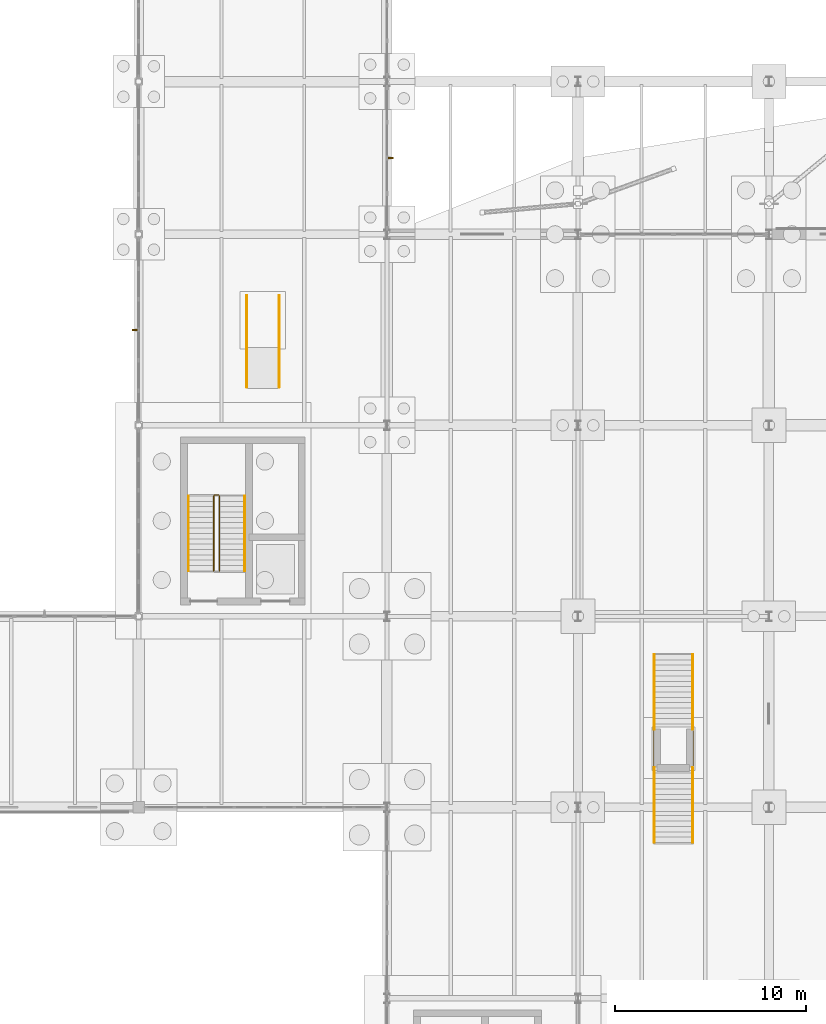
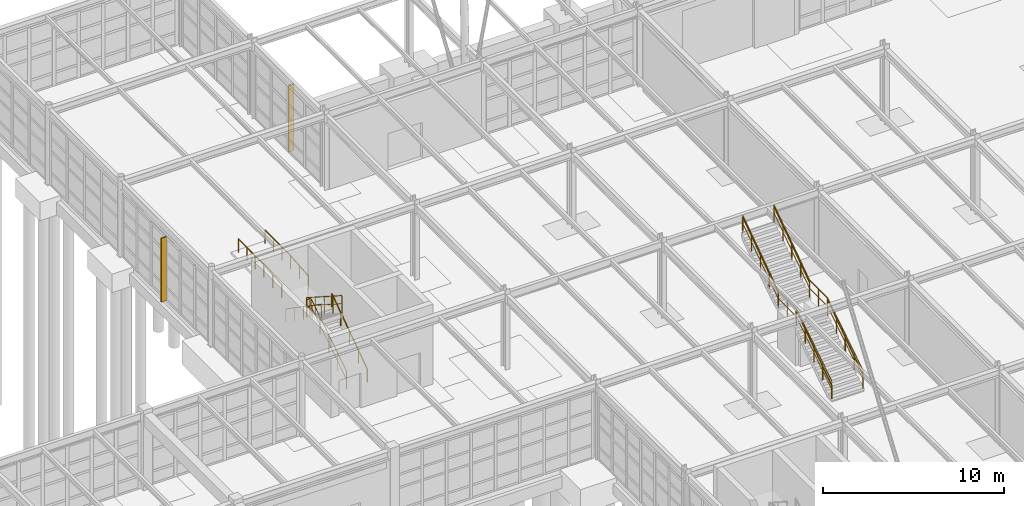
# One storey, part 136 of 145: 13 railings, 2 shading devices.
"""IFC4 building model written with IfcOpenShell, lengths in metres."""

import ifcopenshell
import ifcopenshell.guid

model = None  # the IFC model being written
_history = None  # IfcOwnerHistory: only IFC2X3 demands one
_inside = {}  # id of a spatial element -> (the spatial element, [elements in it])
_under = {}  # id of a project, library or spatial element -> (it, [spatial elements below it])
_declared = {}  # id of a project -> (the project, [libraries it declares])
_typed = {}  # id of a type object -> (the type object, [elements of that type])
_made_of = {}  # id of a material, layer set ... -> (it, [elements and type objects made of it])


def new_model(schema):
    """Start an empty IFC model of exactly this schema.

    Asked for "IFC4X3", IfcOpenShell would pick the latest addendum, in which some entities
    have other attributes; the version numbers below select the first issue.
    IFC2X3 requires an IfcOwnerHistory on every rooted entity: one is made here for all.
    """
    global model, _history
    if schema == "IFC4X3":
        model = ifcopenshell.file(schema_version=(4, 3, 0, 0))
    else:
        model = ifcopenshell.file(schema=schema)
    _inside.clear()
    _under.clear()
    _declared.clear()
    _typed.clear()
    _made_of.clear()
    _history = None
    if model.schema == "IFC2X3":
        org = make("IfcOrganization", Name="unknown")
        user = make(
            "IfcPersonAndOrganization",
            ThePerson=make("IfcPerson", FamilyName="unknown"),
            TheOrganization=org,
        )
        app = make(
            "IfcApplication",
            ApplicationDeveloper=org,
            Version="unknown",
            ApplicationFullName="unknown",
            ApplicationIdentifier="unknown",
        )
        _history = make(
            "IfcOwnerHistory",
            OwningUser=user,
            OwningApplication=app,
            ChangeAction="ADDED",
            CreationDate=0,
        )
    return model


def make(cls, **values):
    """One entity of the class cls with the attributes given. An attribute that is None is left unset."""
    return model.create_entity(
        cls, **{name: value for name, value in values.items() if value is not None}
    )


def rooted(cls, **values):
    """An entity with a GlobalId (a new one), such as an element, a storey or a relation."""
    return make(cls, GlobalId=ifcopenshell.guid.new(), OwnerHistory=_history, **values)


def si_unit(unit_type, name, prefix=None):
    """IfcSIUnit, for example si_unit("LENGTHUNIT", "METRE", prefix="MILLI")."""
    return make("IfcSIUnit", UnitType=unit_type, Prefix=prefix, Name=name)


def assignment(units):
    """IfcUnitAssignment: the units of a project."""
    return None if units is None else make("IfcUnitAssignment", Units=units)


def point(xyz):
    """IfcCartesianPoint."""
    return None if xyz is None else make("IfcCartesianPoint", Coordinates=xyz)


def direction(xyz):
    """IfcDirection."""
    return None if xyz is None else make("IfcDirection", DirectionRatios=xyz)


def frame(location, z_axis=None, x_axis=None):
    """IfcAxis2Placement3D, a coordinate frame: its origin and axes. An axis left out is left unset."""
    return make(
        "IfcAxis2Placement3D",
        Location=point(location),
        Axis=direction(z_axis),
        RefDirection=direction(x_axis),
    )


def frame_2d(location, x_axis=None):
    """IfcAxis2Placement2D, a coordinate frame in the plane: its origin and x axis."""
    return make(
        "IfcAxis2Placement2D", Location=point(location), RefDirection=direction(x_axis)
    )


def origin():
    """The frame at (0, 0, 0) with its axes left unset."""
    return frame((0.0, 0.0, 0.0))


def origin_2d():
    """The frame at (0, 0) in the plane with its x axis left unset."""
    return frame_2d((0.0, 0.0))


def place(relative_to, where):
    """IfcLocalPlacement: puts the frame where relative to a parent placement (None: the world)."""
    return make(
        "IfcLocalPlacement", PlacementRelTo=relative_to, RelativePlacement=where
    )


def context(
    kind, dimensions, precision=None, world=None, true_north=None, identifier=None
):
    """IfcGeometricRepresentationContext, for example the 3D "Model" context."""
    return make(
        "IfcGeometricRepresentationContext",
        ContextIdentifier=identifier,
        ContextType=kind,
        CoordinateSpaceDimension=dimensions,
        Precision=precision,
        WorldCoordinateSystem=world,
        TrueNorth=true_north,
    )


def subcontext(parent, identifier, kind, view, scale=None):
    """IfcGeometricRepresentationSubContext, for example "Body" below "Model"."""
    return make(
        "IfcGeometricRepresentationSubContext",
        ContextIdentifier=identifier,
        ContextType=kind,
        ParentContext=parent,
        TargetScale=scale,
        TargetView=view,
    )


def project(units=None, contexts=None):
    """IfcProject with its units and contexts."""
    return rooted(
        "IfcProject",
        Name="project",
        RepresentationContexts=contexts,
        UnitsInContext=assignment(units),
    )


def spatial(cls, under=None, at=None, **own):
    """A site, building, storey or space (cls), placed at a placement, below another one or the project."""
    s = rooted(cls, ObjectPlacement=at, **own)
    if under is not None:
        _under.setdefault(under.id(), (under, []))[1].append(s)
    return s


def profile(cls, at=None, kind="AREA", **sizes):
    """A parametric profile (cls). Its sizes go by their IFC names, for example OverallWidth=200.0."""
    return make(cls, ProfileType=kind, Position=at, **sizes)


def rectangle(**sizes):
    """IfcRectangleProfileDef."""
    return profile("IfcRectangleProfileDef", **sizes)


def circle(**sizes):
    """IfcCircleProfileDef."""
    return profile("IfcCircleProfileDef", **sizes)


def extrude(swept, where, along, depth):
    """IfcExtrudedAreaSolid: the profile swept, set in the frame where, extruded along a direction by depth."""
    return make(
        "IfcExtrudedAreaSolid",
        SweptArea=swept,
        Position=where,
        ExtrudedDirection=direction(along),
        Depth=depth,
    )


def shape(context_of_items, identifier, shape_type, items):
    """IfcShapeRepresentation: the items that make up one representation, for example the "Body"."""
    return make(
        "IfcShapeRepresentation",
        ContextOfItems=context_of_items,
        RepresentationIdentifier=identifier,
        RepresentationType=shape_type,
        Items=items,
    )


def material(Name=None, Category=None):
    """IfcMaterial."""
    return make("IfcMaterial", Name=Name, Category=Category)


def made_of(thing, what):
    """Note that an element or type object is made of a material, layer set ...; save() writes the relation."""
    if what is not None:
        _made_of.setdefault(what.id(), (what, []))[1].append(thing)
    return thing


def type_object(cls, material=None, **own):
    """A type object (cls), such as IfcWallType, which elements share."""
    return made_of(rooted(cls, **own), material)


def element(
    cls,
    number,
    at=None,
    inside=None,
    cuts=None,
    type_object=None,
    material=None,
    context=None,
    identifier="Body",
    shape_type=None,
    held_by="IfcProductDefinitionShape",
    body=None,
    shapes=None,
    **own,
):
    """One element of the class cls, such as IfcWall. Its Tag is "e" and its number.

    at: its placement. inside: the storey or other place that contains it. cuts: it is an
    opening in that element (IfcRelVoidsElement). A single representation is given by context,
    identifier, shape_type and body (its items); several are given by shapes. held_by: the class
    of the entity that holds the representations. save() writes the other relations.
    """
    e = rooted(cls, Tag="e%d" % number, ObjectPlacement=at, **own)
    if body is not None:
        shapes = [shape(context, identifier, shape_type, body)]
    if shapes is not None:
        e.Representation = make(held_by, Representations=shapes)
    if inside is not None:
        _inside.setdefault(inside.id(), (inside, []))[1].append(e)
    if cuts is not None:
        rooted(
            "IfcRelVoidsElement", RelatingBuildingElement=cuts, RelatedOpeningElement=e
        )
    if type_object is not None:
        _typed.setdefault(type_object.id(), (type_object, []))[1].append(e)
    return made_of(e, material)


def aggregate(whole, parts):
    """IfcRelAggregates: a whole, such as a stair, and the parts it consists of."""
    return rooted("IfcRelAggregates", RelatingObject=whole, RelatedObjects=parts)


def save(model, path):
    """Write the relations noted so far, then the file.

    IfcRelAggregates (storeys below a building ...), IfcRelContainedInSpatialStructure (elements
    in a storey), IfcRelDefinesByType, IfcRelAssociatesMaterial and IfcRelDeclares: one each for
    every whole, place, type object, material and project.
    """
    for whole, parts in _under.values():
        aggregate(whole, parts)
    for where, things in _inside.values():
        rooted(
            "IfcRelContainedInSpatialStructure",
            RelatedElements=things,
            RelatingStructure=where,
        )
    for kind, things in _typed.values():
        rooted("IfcRelDefinesByType", RelatedObjects=things, RelatingType=kind)
    for what, things in _made_of.values():
        rooted("IfcRelAssociatesMaterial", RelatedObjects=things, RelatingMaterial=what)
    for by, libraries in _declared.values():
        rooted("IfcRelDeclares", RelatingContext=by, RelatedDefinitions=libraries)
    model.write(path)


model = new_model("IFC4")

# Units and contexts
model_context = context("Model", 3, precision=1e-05, world=origin(), true_north=direction((0.0, 1.0)))
body_context = subcontext(model_context, "Body", "Model", "MODEL_VIEW")
ifc_project = project(units=[si_unit("LENGTHUNIT", "METRE"), si_unit("AREAUNIT", "SQUARE_METRE"), si_unit("VOLUMEUNIT", "CUBIC_METRE"), si_unit("PLANEANGLEUNIT", "RADIAN"), si_unit("MASSUNIT", "GRAM", prefix="KILO"), si_unit("THERMODYNAMICTEMPERATUREUNIT", "KELVIN"), si_unit("POWERUNIT", "WATT")], contexts=[model_context])

# Site, building, storey
site_placement = place(None, origin())
site = spatial("IfcSite", under=ifc_project, at=site_placement, CompositionType="ELEMENT")
building_placement = place(site_placement, origin())
building = spatial("IfcBuilding", under=site, at=building_placement, Name="Korenveer Ferry Terminal", CompositionType="ELEMENT")
storey_placement = place(building_placement, origin())
storey = spatial("IfcBuildingStorey", under=building, at=storey_placement, Name="L00", CompositionType="ELEMENT", Elevation=0.0)

# Shading devices
ifc_material_1 = material(Name="Anodised bronze aluminium solar fin", Category="aluminium")
shading_device_type = type_object("IfcShadingDeviceType", Name="ENV-SHD-FIN", PredefinedType="JALOUSIE", material=ifc_material_1)
shading_device_1_placement = place(storey_placement, frame((39.840087890625, 95.0, -0.02001953125), z_axis=(0.0, 0.0, 1.0), x_axis=(1.0, 0.0, 0.0)))
element("IfcShadingDevice", 1, at=shading_device_1_placement, inside=storey, type_object=shading_device_type, Name="Gothic solar fin 9", PredefinedType="JALOUSIE", context=body_context, shape_type="SweptSolid", body=[
    extrude(rectangle(XDim=0.360107421875, YDim=0.080078125, at=origin_2d()), origin(), (0.0, 0.0, 1.0), 4.31005859375),
])
shading_device_2_placement = place(storey_placement, frame((53.159912109375, 104.0, -0.02001953125), z_axis=(0.0, 0.0, 1.0), x_axis=(1.0, 0.0, 0.0)))
element("IfcShadingDevice", 2, at=shading_device_2_placement, inside=storey, type_object=shading_device_type, Name="Gothic solar fin 11", PredefinedType="JALOUSIE", context=body_context, shape_type="SweptSolid", body=[
    extrude(rectangle(XDim=0.360107421875, YDim=0.080078125, at=origin_2d()), origin(), (0.0, 0.0, 1.0), 4.510009765625),
])

# Railings
ifc_material_2 = material(Name="Brushed stainless steel handrail", Category="steel")
railing_type_1 = type_object("IfcRailingType", Name="INT-RL-HND90", PredefinedType="HANDRAIL", material=ifc_material_2)
railing_1_placement = place(storey_placement, frame((45.550048828125, 82.3798828125, 0.179931640625)))
element("IfcRailing", 3, at=railing_1_placement, inside=storey, type_object=railing_type_1, Name="L00 ST07 stair handrail 1", PredefinedType="HANDRAIL", context=body_context, shape_type="SweptSolid", body=[
    extrude(circle(Radius=0.02392578125, at=origin_2d()), frame((0.0, 0.0, 0.8759765625), z_axis=(0.0, 0.823567234665, 0.567218661528), x_axis=(-1.0, 0.0, 0.0)), (0.0, 0.0, 1.0), 4.760009765625),
    extrude(circle(Radius=0.02099609375, at=origin_2d()), origin(), (0.0, 0.0, 1.0), 0.851806640625),
    extrude(circle(Radius=0.02099609375, at=origin_2d()), frame((0.0, 0.97998046875, 0.675048828125)), (0.0, 0.0, 1.0), 0.851806640625),
    extrude(circle(Radius=0.02099609375, at=origin_2d()), frame((0.0, 1.9599609375, 1.35009765625)), (0.0, 0.0, 1.0), 0.851806640625),
    extrude(circle(Radius=0.02099609375, at=origin_2d()), frame((0.0, 2.940185546875, 2.02490234375)), (0.0, 0.0, 1.0), 0.851806640625),
    extrude(circle(Radius=0.02099609375, at=origin_2d()), frame((0.0, 3.920166015625, 2.699951171875)), (0.0, 0.0, 1.0), 0.851806640625),
])
railing_2_placement = place(storey_placement, frame((42.610107421875, 86.300048828125, 2.8798828125)))
element("IfcRailing", 4, at=railing_2_placement, inside=storey, type_object=railing_type_1, Name="L00 ST07 stair handrail 2", PredefinedType="HANDRAIL", context=body_context, shape_type="SweptSolid", body=[
    extrude(circle(Radius=0.02392578125, at=origin_2d()), frame((0.0, 0.0, 0.8759765625), z_axis=(0.0, -0.82354327477, 0.567253448276), x_axis=(1.0, 0.0, 0.0)), (0.0, 0.0, 1.0), 4.760009765625),
    extrude(circle(Radius=0.02099609375, at=origin_2d()), origin(), (0.0, 0.0, 1.0), 0.851806640625),
    extrude(circle(Radius=0.02099609375, at=origin_2d()), frame((0.0, -0.97998046875, 0.675048828125)), (0.0, 0.0, 1.0), 0.851806640625),
    extrude(circle(Radius=0.02099609375, at=origin_2d()), frame((0.0, -1.9599609375, 1.35009765625)), (0.0, 0.0, 1.0), 0.851806640625),
    extrude(circle(Radius=0.02099609375, at=origin_2d()), frame((0.0, -2.940185546875, 2.025146484375)), (0.0, 0.0, 1.0), 0.851806640625),
    extrude(circle(Radius=0.02099609375, at=origin_2d()), frame((0.0, -3.920166015625, 2.7001953125)), (0.0, 0.0, 1.0), 0.851806640625),
])
railing_3_placement = place(storey_placement, frame((67.0, 68.159912109375, 0.179931640625)))
element("IfcRailing", 5, at=railing_3_placement, inside=storey, type_object=railing_type_1, Name="Feature stair lower handrail ST13 W", PredefinedType="HANDRAIL", context=body_context, shape_type="SweptSolid", body=[
    extrude(circle(Radius=0.02392578125, at=origin_2d()), frame((0.0, 0.0, 0.8759765625), z_axis=(0.0, 0.823567234665, 0.567218661528), x_axis=(-1.0, 0.0, 0.0)), (0.0, 0.0, 1.0), 4.760009765625),
    extrude(circle(Radius=0.02099609375, at=origin_2d()), origin(), (0.0, 0.0, 1.0), 0.851806640625),
    extrude(circle(Radius=0.02099609375, at=origin_2d()), frame((0.0, 0.97998046875, 0.675048828125)), (0.0, 0.0, 1.0), 0.851806640625),
    extrude(circle(Radius=0.02099609375, at=origin_2d()), frame((0.0, 1.9599609375, 1.35009765625)), (0.0, 0.0, 1.0), 0.851806640625),
    extrude(circle(Radius=0.02099609375, at=origin_2d()), frame((0.0, 2.940185546875, 2.02490234375)), (0.0, 0.0, 1.0), 0.851806640625),
    extrude(circle(Radius=0.02099609375, at=origin_2d()), frame((0.0, 3.920166015625, 2.699951171875)), (0.0, 0.0, 1.0), 0.851806640625),
])
railing_4_placement = place(storey_placement, frame((67.0, 74.080078125, 2.8798828125)))
element("IfcRailing", 6, at=railing_4_placement, inside=storey, type_object=railing_type_1, Name="Feature stair upper handrail ST13 W", PredefinedType="HANDRAIL", context=body_context, shape_type="SweptSolid", body=[
    extrude(circle(Radius=0.02392578125, at=origin_2d()), frame((0.0, 0.0, 0.8759765625), z_axis=(0.0, 0.823526770215, 0.56727740898), x_axis=(-1.0, 0.0, 0.0)), (0.0, 0.0, 1.0), 4.760009765625),
    extrude(circle(Radius=0.02099609375, at=origin_2d()), origin(), (0.0, 0.0, 1.0), 0.851806640625),
    extrude(circle(Radius=0.02099609375, at=origin_2d()), frame((0.0, 0.97998046875, 0.675048828125)), (0.0, 0.0, 1.0), 0.851806640625),
    extrude(circle(Radius=0.02099609375, at=origin_2d()), frame((0.0, 1.9599609375, 1.35009765625)), (0.0, 0.0, 1.0), 0.851806640625),
    extrude(circle(Radius=0.02099609375, at=origin_2d()), frame((0.0, 2.93994140625, 2.025146484375)), (0.0, 0.0, 1.0), 0.851806640625),
    extrude(circle(Radius=0.02099609375, at=origin_2d()), frame((0.0, 3.919921875, 2.7001953125)), (0.0, 0.0, 1.0), 0.851806640625),
])
railing_5_placement = place(storey_placement, frame((69.0, 68.159912109375, 0.179931640625)))
element("IfcRailing", 7, at=railing_5_placement, inside=storey, type_object=railing_type_1, Name="Feature stair lower handrail ST13 E", PredefinedType="HANDRAIL", context=body_context, shape_type="SweptSolid", body=[
    extrude(circle(Radius=0.02392578125, at=origin_2d()), frame((0.0, 0.0, 0.8759765625), z_axis=(0.0, 0.823567234665, 0.567218661528), x_axis=(-1.0, 0.0, 0.0)), (0.0, 0.0, 1.0), 4.760009765625),
    extrude(circle(Radius=0.02099609375, at=origin_2d()), origin(), (0.0, 0.0, 1.0), 0.851806640625),
    extrude(circle(Radius=0.02099609375, at=origin_2d()), frame((0.0, 0.97998046875, 0.675048828125)), (0.0, 0.0, 1.0), 0.851806640625),
    extrude(circle(Radius=0.02099609375, at=origin_2d()), frame((0.0, 1.9599609375, 1.35009765625)), (0.0, 0.0, 1.0), 0.851806640625),
    extrude(circle(Radius=0.02099609375, at=origin_2d()), frame((0.0, 2.940185546875, 2.02490234375)), (0.0, 0.0, 1.0), 0.851806640625),
    extrude(circle(Radius=0.02099609375, at=origin_2d()), frame((0.0, 3.920166015625, 2.699951171875)), (0.0, 0.0, 1.0), 0.851806640625),
])
railing_6_placement = place(storey_placement, frame((69.0, 74.080078125, 2.8798828125)))
element("IfcRailing", 8, at=railing_6_placement, inside=storey, type_object=railing_type_1, Name="Feature stair upper handrail ST13 E", PredefinedType="HANDRAIL", context=body_context, shape_type="SweptSolid", body=[
    extrude(circle(Radius=0.02392578125, at=origin_2d()), frame((0.0, 0.0, 0.8759765625), z_axis=(0.0, 0.823526770215, 0.56727740898), x_axis=(-1.0, 0.0, 0.0)), (0.0, 0.0, 1.0), 4.760009765625),
    extrude(circle(Radius=0.02099609375, at=origin_2d()), origin(), (0.0, 0.0, 1.0), 0.851806640625),
    extrude(circle(Radius=0.02099609375, at=origin_2d()), frame((0.0, 0.97998046875, 0.675048828125)), (0.0, 0.0, 1.0), 0.851806640625),
    extrude(circle(Radius=0.02099609375, at=origin_2d()), frame((0.0, 1.9599609375, 1.35009765625)), (0.0, 0.0, 1.0), 0.851806640625),
    extrude(circle(Radius=0.02099609375, at=origin_2d()), frame((0.0, 2.93994140625, 2.025146484375)), (0.0, 0.0, 1.0), 0.851806640625),
    extrude(circle(Radius=0.02099609375, at=origin_2d()), frame((0.0, 3.919921875, 2.7001953125)), (0.0, 0.0, 1.0), 0.851806640625),
])
ifc_material_3 = material(Name="Brushed stainless steel ramp handrail", Category="steel")
railing_type_2 = type_object("IfcRailingType", Name="INT-RL-RMPHND", PredefinedType="HANDRAIL", material=ifc_material_3)
for number, where, name in (
    (9, (45.64990234375, 92.0, 0.0), "West Mooring Threshold Ramp handrail W"),
    (10, (47.35009765625, 92.0, 0.0), "West Mooring Threshold Ramp handrail E"),
):
    element("IfcRailing", number, at=place(storey_placement, frame(where)), inside=storey, type_object=railing_type_2, Name=name, PredefinedType="HANDRAIL", context=body_context, shape_type="SweptSolid", body=[
        extrude(circle(Radius=0.02392578125, at=origin_2d()), frame((0.0, 0.0, 0.8759765625), z_axis=(0.0, 0.996818759741, 0.079701695267), x_axis=(-1.0, 0.0, 0.0)), (0.0, 0.0, 1.0), 2.00634765625),
        extrude(circle(Radius=0.02392578125, at=origin_2d()), frame((0.0, 2.0, 1.03564453125), z_axis=(0.0, 1.0, 0.0), x_axis=(-1.0, 0.0, 0.0)), (0.0, 0.0, 1.0), 2.800048828125),
        extrude(circle(Radius=0.02099609375, at=origin_2d()), origin(), (0.0, 0.0, 1.0), 0.851806640625),
        extrude(circle(Radius=0.02099609375, at=origin_2d()), frame((0.0, 1.0, 0.080078125)), (0.0, 0.0, 1.0), 0.851806640625),
        extrude(circle(Radius=0.02099609375, at=origin_2d()), frame((0.0, 2.0, 0.159912109375)), (0.0, 0.0, 1.0), 0.851806640625),
        extrude(circle(Radius=0.02099609375, at=origin_2d()), frame((0.0, 2.933349609375, 0.159912109375)), (0.0, 0.0, 1.0), 0.851806640625),
        extrude(circle(Radius=0.02099609375, at=origin_2d()), frame((0.0, 3.86669921875, 0.159912109375)), (0.0, 0.0, 1.0), 0.851806640625),
        extrude(circle(Radius=0.02099609375, at=origin_2d()), frame((0.0, 4.800048828125, 0.159912109375)), (0.0, 0.0, 1.0), 0.851806640625),
    ])
ifc_material_4 = material(Name="Painted steel stair guard", Category="steel")
railing_type_3 = type_object("IfcRailingType", Name="INT-RL-STGRD", PredefinedType="GUARDRAIL", material=ifc_material_4)
railing_7_placement = place(storey_placement, frame((44.22998046875, 82.3798828125, 0.179931640625)))
element("IfcRailing", 11, at=railing_7_placement, inside=storey, type_object=railing_type_3, Name="L00 ST07 stair guard 1", PredefinedType="GUARDRAIL", context=body_context, shape_type="SweptSolid", body=[
    extrude(circle(Radius=0.02392578125, at=origin_2d()), frame((0.0, 0.0, 1.17578125), z_axis=(0.0, 0.841186985886, 0.540744352514), x_axis=(-1.0, 0.0, 0.0)), (0.0, 0.0, 1.0), 4.660400390625),
    extrude(circle(Radius=0.01806640625, at=origin_2d()), frame((0.0, 0.0, 0.6240234375), z_axis=(0.0, 0.841186985886, 0.540744352514), x_axis=(-1.0, 0.0, 0.0)), (0.0, 0.0, 1.0), 4.660400390625),
    extrude(circle(Radius=0.02099609375, at=origin_2d()), origin(), (0.0, 0.0, 1.0), 1.15185546875),
    extrude(circle(Radius=0.02099609375, at=origin_2d()), frame((0.0, 0.97998046875, 0.6298828125)), (0.0, 0.0, 1.0), 1.15185546875),
    extrude(circle(Radius=0.02099609375, at=origin_2d()), frame((0.0, 1.9599609375, 1.260009765625)), (0.0, 0.0, 1.0), 1.15185546875),
    extrude(circle(Radius=0.02099609375, at=origin_2d()), frame((0.0, 2.940185546875, 1.89013671875)), (0.0, 0.0, 1.0), 1.15185546875),
    extrude(circle(Radius=0.02099609375, at=origin_2d()), frame((0.0, 3.920166015625, 2.52001953125)), (0.0, 0.0, 1.0), 1.15185546875),
])
railing_8_placement = place(storey_placement, frame((44.179931640625, 86.35009765625, 2.699951171875)))
element("IfcRailing", 12, at=railing_8_placement, inside=storey, type_object=railing_type_3, Name="L00 ST07 stair guard 2", PredefinedType="GUARDRAIL", context=body_context, shape_type="SweptSolid", body=[
    extrude(circle(Radius=0.02392578125, at=origin_2d()), frame((0.0, 0.0, 1.17578125), z_axis=(-1.0, 0.0, 0.0), x_axis=(0.0, -1.0, 0.0)), (0.0, 0.0, 1.0), 0.199951171875),
    extrude(circle(Radius=0.01806640625, at=origin_2d()), frame((0.0, 0.0, 0.6240234375), z_axis=(-1.0, 0.0, 0.0), x_axis=(0.0, -1.0, 0.0)), (0.0, 0.0, 1.0), 0.199951171875),
    extrude(circle(Radius=0.02099609375, at=origin_2d()), origin(), (0.0, 0.0, 1.0), 1.15185546875),
    extrude(circle(Radius=0.02099609375, at=origin_2d()), frame((-0.199951171875, 0.0, 0.0)), (0.0, 0.0, 1.0), 1.15185546875),
])
railing_9_placement = place(storey_placement, frame((43.929931640625, 86.300048828125, 2.8798828125)))
element("IfcRailing", 13, at=railing_9_placement, inside=storey, type_object=railing_type_3, Name="L00 ST07 stair guard 3", PredefinedType="GUARDRAIL", context=body_context, shape_type="SweptSolid", body=[
    extrude(circle(Radius=0.02392578125, at=origin_2d()), frame((0.0, 0.0, 1.17578125), z_axis=(0.0, -0.841186985886, 0.540744352514), x_axis=(1.0, 0.0, 0.0)), (0.0, 0.0, 1.0), 4.660400390625),
    extrude(circle(Radius=0.01806640625, at=origin_2d()), frame((0.0, 0.0, 0.6240234375), z_axis=(0.0, -0.841186985886, 0.540744352514), x_axis=(1.0, 0.0, 0.0)), (0.0, 0.0, 1.0), 4.660400390625),
    extrude(circle(Radius=0.02099609375, at=origin_2d()), origin(), (0.0, 0.0, 1.0), 1.15185546875),
    extrude(circle(Radius=0.02099609375, at=origin_2d()), frame((0.0, -0.97998046875, 0.6298828125)), (0.0, 0.0, 1.0), 1.15185546875),
    extrude(circle(Radius=0.02099609375, at=origin_2d()), frame((0.0, -1.9599609375, 1.260009765625)), (0.0, 0.0, 1.0), 1.15185546875),
    extrude(circle(Radius=0.02099609375, at=origin_2d()), frame((0.0, -2.940185546875, 1.89013671875)), (0.0, 0.0, 1.0), 1.15185546875),
    extrude(circle(Radius=0.02099609375, at=origin_2d()), frame((0.0, -3.920166015625, 2.52001953125)), (0.0, 0.0, 1.0), 1.15185546875),
])
railing_10_placement = place(storey_placement, frame((67.0, 68.159912109375, 0.179931640625)))
element("IfcRailing", 14, at=railing_10_placement, inside=storey, type_object=railing_type_3, Name="Feature stair guard ST13 W", PredefinedType="GUARDRAIL", context=body_context, shape_type="SweptSolid", body=[
    extrude(circle(Radius=0.02392578125, at=origin_2d()), frame((0.0, 0.0, 1.17578125), z_axis=(0.0, 0.841186985886, 0.540744352514), x_axis=(-1.0, 0.0, 0.0)), (0.0, 0.0, 1.0), 4.660400390625),
    extrude(circle(Radius=0.01806640625, at=origin_2d()), frame((0.0, 0.0, 0.6240234375), z_axis=(0.0, 0.841186985886, 0.540744352514), x_axis=(-1.0, 0.0, 0.0)), (0.0, 0.0, 1.0), 4.660400390625),
    extrude(circle(Radius=0.02392578125, at=origin_2d()), frame((0.0, 3.920166015625, 3.69580078125), z_axis=(0.0, 1.0, 0.0), x_axis=(-1.0, 0.0, 0.0)), (0.0, 0.0, 1.0), 2.0),
    extrude(circle(Radius=0.01806640625, at=origin_2d()), frame((0.0, 3.920166015625, 3.14404296875), z_axis=(0.0, 1.0, 0.0), x_axis=(-1.0, 0.0, 0.0)), (0.0, 0.0, 1.0), 2.0),
    extrude(circle(Radius=0.02392578125, at=origin_2d()), frame((0.0, 5.920166015625, 3.69580078125), z_axis=(0.0, 0.823550731654, 0.567242622158), x_axis=(-1.0, 0.0, 0.0)), (0.0, 0.0, 1.0), 4.759765625),
    extrude(circle(Radius=0.01806640625, at=origin_2d()), frame((0.0, 5.920166015625, 3.14404296875), z_axis=(0.0, 0.823550731654, 0.567242622158), x_axis=(-1.0, 0.0, 0.0)), (0.0, 0.0, 1.0), 4.759765625),
    extrude(circle(Radius=0.02099609375, at=origin_2d()), origin(), (0.0, 0.0, 1.0), 1.15185546875),
    extrude(circle(Radius=0.02099609375, at=origin_2d()), frame((0.0, 0.97998046875, 0.6298828125)), (0.0, 0.0, 1.0), 1.15185546875),
    extrude(circle(Radius=0.02099609375, at=origin_2d()), frame((0.0, 1.9599609375, 1.260009765625)), (0.0, 0.0, 1.0), 1.15185546875),
    extrude(circle(Radius=0.02099609375, at=origin_2d()), frame((0.0, 2.940185546875, 1.89013671875)), (0.0, 0.0, 1.0), 1.15185546875),
    extrude(circle(Radius=0.02099609375, at=origin_2d()), frame((0.0, 3.920166015625, 2.52001953125)), (0.0, 0.0, 1.0), 1.15185546875),
    extrude(circle(Radius=0.02099609375, at=origin_2d()), frame((0.0, 4.920166015625, 2.52001953125)), (0.0, 0.0, 1.0), 1.15185546875),
    extrude(circle(Radius=0.02099609375, at=origin_2d()), frame((0.0, 5.920166015625, 2.52001953125)), (0.0, 0.0, 1.0), 1.15185546875),
    extrude(circle(Radius=0.02099609375, at=origin_2d()), frame((0.0, 6.900146484375, 3.195068359375)), (0.0, 0.0, 1.0), 1.15185546875),
    extrude(circle(Radius=0.02099609375, at=origin_2d()), frame((0.0, 7.880126953125, 3.8701171875)), (0.0, 0.0, 1.0), 1.15185546875),
    extrude(circle(Radius=0.02099609375, at=origin_2d()), frame((0.0, 8.860107421875, 4.544921875)), (0.0, 0.0, 1.0), 1.15185546875),
    extrude(circle(Radius=0.02099609375, at=origin_2d()), frame((0.0, 9.840087890625, 5.219970703125)), (0.0, 0.0, 1.0), 1.15185546875),
])
railing_11_placement = place(storey_placement, frame((69.0, 68.159912109375, 0.179931640625)))
element("IfcRailing", 15, at=railing_11_placement, inside=storey, type_object=railing_type_3, Name="Feature stair guard ST13 E", PredefinedType="GUARDRAIL", context=body_context, shape_type="SweptSolid", body=[
    extrude(circle(Radius=0.02392578125, at=origin_2d()), frame((0.0, 0.0, 1.17578125), z_axis=(0.0, 0.841186985886, 0.540744352514), x_axis=(-1.0, 0.0, 0.0)), (0.0, 0.0, 1.0), 4.660400390625),
    extrude(circle(Radius=0.01806640625, at=origin_2d()), frame((0.0, 0.0, 0.6240234375), z_axis=(0.0, 0.841186985886, 0.540744352514), x_axis=(-1.0, 0.0, 0.0)), (0.0, 0.0, 1.0), 4.660400390625),
    extrude(circle(Radius=0.02392578125, at=origin_2d()), frame((0.0, 3.920166015625, 3.69580078125), z_axis=(0.0, 1.0, 0.0), x_axis=(-1.0, 0.0, 0.0)), (0.0, 0.0, 1.0), 2.0),
    extrude(circle(Radius=0.01806640625, at=origin_2d()), frame((0.0, 3.920166015625, 3.14404296875), z_axis=(0.0, 1.0, 0.0), x_axis=(-1.0, 0.0, 0.0)), (0.0, 0.0, 1.0), 2.0),
    extrude(circle(Radius=0.02392578125, at=origin_2d()), frame((0.0, 5.920166015625, 3.69580078125), z_axis=(0.0, 0.823550731654, 0.567242622158), x_axis=(-1.0, 0.0, 0.0)), (0.0, 0.0, 1.0), 4.759765625),
    extrude(circle(Radius=0.01806640625, at=origin_2d()), frame((0.0, 5.920166015625, 3.14404296875), z_axis=(0.0, 0.823550731654, 0.567242622158), x_axis=(-1.0, 0.0, 0.0)), (0.0, 0.0, 1.0), 4.759765625),
    extrude(circle(Radius=0.02099609375, at=origin_2d()), origin(), (0.0, 0.0, 1.0), 1.15185546875),
    extrude(circle(Radius=0.02099609375, at=origin_2d()), frame((0.0, 0.97998046875, 0.6298828125)), (0.0, 0.0, 1.0), 1.15185546875),
    extrude(circle(Radius=0.02099609375, at=origin_2d()), frame((0.0, 1.9599609375, 1.260009765625)), (0.0, 0.0, 1.0), 1.15185546875),
    extrude(circle(Radius=0.02099609375, at=origin_2d()), frame((0.0, 2.940185546875, 1.89013671875)), (0.0, 0.0, 1.0), 1.15185546875),
    extrude(circle(Radius=0.02099609375, at=origin_2d()), frame((0.0, 3.920166015625, 2.52001953125)), (0.0, 0.0, 1.0), 1.15185546875),
    extrude(circle(Radius=0.02099609375, at=origin_2d()), frame((0.0, 4.920166015625, 2.52001953125)), (0.0, 0.0, 1.0), 1.15185546875),
    extrude(circle(Radius=0.02099609375, at=origin_2d()), frame((0.0, 5.920166015625, 2.52001953125)), (0.0, 0.0, 1.0), 1.15185546875),
    extrude(circle(Radius=0.02099609375, at=origin_2d()), frame((0.0, 6.900146484375, 3.195068359375)), (0.0, 0.0, 1.0), 1.15185546875),
    extrude(circle(Radius=0.02099609375, at=origin_2d()), frame((0.0, 7.880126953125, 3.8701171875)), (0.0, 0.0, 1.0), 1.15185546875),
    extrude(circle(Radius=0.02099609375, at=origin_2d()), frame((0.0, 8.860107421875, 4.544921875)), (0.0, 0.0, 1.0), 1.15185546875),
    extrude(circle(Radius=0.02099609375, at=origin_2d()), frame((0.0, 9.840087890625, 5.219970703125)), (0.0, 0.0, 1.0), 1.15185546875),
])

save(model, "model.ifc")
